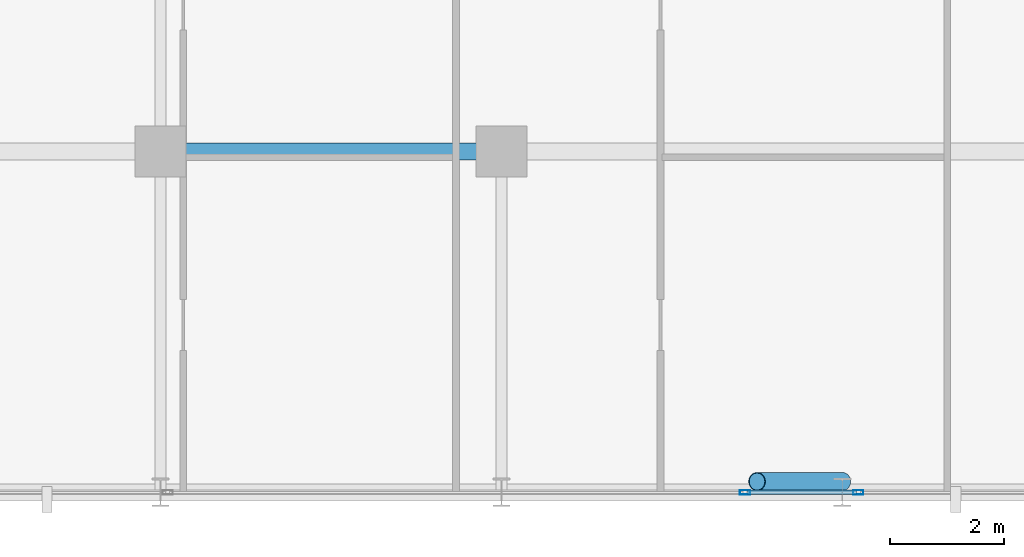
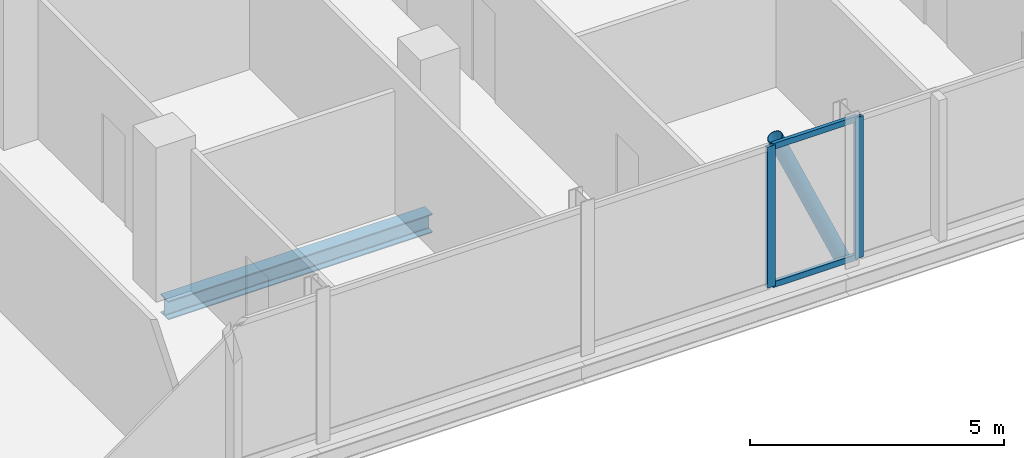
# One storey, part 9 of 31: 5 members, 1 beam, 2 elements without a shape of their own.
"""IFC4 building model written with IfcOpenShell, lengths in metres."""

import ifcopenshell
import ifcopenshell.guid

model = None  # the IFC model being written
_history = None  # IfcOwnerHistory: only IFC2X3 demands one
_inside = {}  # id of a spatial element -> (the spatial element, [elements in it])
_under = {}  # id of a project, library or spatial element -> (it, [spatial elements below it])
_declared = {}  # id of a project -> (the project, [libraries it declares])
_typed = {}  # id of a type object -> (the type object, [elements of that type])
_made_of = {}  # id of a material, layer set ... -> (it, [elements and type objects made of it])


def new_model(schema):
    """Start an empty IFC model of exactly this schema.

    Asked for "IFC4X3", IfcOpenShell would pick the latest addendum, in which some entities
    have other attributes; the version numbers below select the first issue.
    IFC2X3 requires an IfcOwnerHistory on every rooted entity: one is made here for all.
    """
    global model, _history
    if schema == "IFC4X3":
        model = ifcopenshell.file(schema_version=(4, 3, 0, 0))
    else:
        model = ifcopenshell.file(schema=schema)
    _inside.clear()
    _under.clear()
    _declared.clear()
    _typed.clear()
    _made_of.clear()
    _history = None
    if model.schema == "IFC2X3":
        org = make("IfcOrganization", Name="unknown")
        user = make(
            "IfcPersonAndOrganization",
            ThePerson=make("IfcPerson", FamilyName="unknown"),
            TheOrganization=org,
        )
        app = make(
            "IfcApplication",
            ApplicationDeveloper=org,
            Version="unknown",
            ApplicationFullName="unknown",
            ApplicationIdentifier="unknown",
        )
        _history = make(
            "IfcOwnerHistory",
            OwningUser=user,
            OwningApplication=app,
            ChangeAction="ADDED",
            CreationDate=0,
        )
    return model


def make(cls, **values):
    """One entity of the class cls with the attributes given. An attribute that is None is left unset."""
    return model.create_entity(
        cls, **{name: value for name, value in values.items() if value is not None}
    )


def rooted(cls, **values):
    """An entity with a GlobalId (a new one), such as an element, a storey or a relation."""
    return make(cls, GlobalId=ifcopenshell.guid.new(), OwnerHistory=_history, **values)


def si_unit(unit_type, name, prefix=None):
    """IfcSIUnit, for example si_unit("LENGTHUNIT", "METRE", prefix="MILLI")."""
    return make("IfcSIUnit", UnitType=unit_type, Prefix=prefix, Name=name)


def assignment(units):
    """IfcUnitAssignment: the units of a project."""
    return None if units is None else make("IfcUnitAssignment", Units=units)


def point(xyz):
    """IfcCartesianPoint."""
    return None if xyz is None else make("IfcCartesianPoint", Coordinates=xyz)


def direction(xyz):
    """IfcDirection."""
    return None if xyz is None else make("IfcDirection", DirectionRatios=xyz)


def frame(location, z_axis=None, x_axis=None):
    """IfcAxis2Placement3D, a coordinate frame: its origin and axes. An axis left out is left unset."""
    return make(
        "IfcAxis2Placement3D",
        Location=point(location),
        Axis=direction(z_axis),
        RefDirection=direction(x_axis),
    )


def frame_2d(location, x_axis=None):
    """IfcAxis2Placement2D, a coordinate frame in the plane: its origin and x axis."""
    return make(
        "IfcAxis2Placement2D", Location=point(location), RefDirection=direction(x_axis)
    )


def origin():
    """The frame at (0, 0, 0) with its axes left unset."""
    return frame((0.0, 0.0, 0.0))


def origin_2d():
    """The frame at (0, 0) in the plane with its x axis left unset."""
    return frame_2d((0.0, 0.0))


def place(relative_to, where):
    """IfcLocalPlacement: puts the frame where relative to a parent placement (None: the world)."""
    return make(
        "IfcLocalPlacement", PlacementRelTo=relative_to, RelativePlacement=where
    )


def context(
    kind, dimensions, precision=None, world=None, true_north=None, identifier=None
):
    """IfcGeometricRepresentationContext, for example the 3D "Model" context."""
    return make(
        "IfcGeometricRepresentationContext",
        ContextIdentifier=identifier,
        ContextType=kind,
        CoordinateSpaceDimension=dimensions,
        Precision=precision,
        WorldCoordinateSystem=world,
        TrueNorth=true_north,
    )


def subcontext(parent, identifier, kind, view, scale=None):
    """IfcGeometricRepresentationSubContext, for example "Body" below "Model"."""
    return make(
        "IfcGeometricRepresentationSubContext",
        ContextIdentifier=identifier,
        ContextType=kind,
        ParentContext=parent,
        TargetScale=scale,
        TargetView=view,
    )


def project(units=None, contexts=None):
    """IfcProject with its units and contexts."""
    return rooted(
        "IfcProject",
        Name="project",
        RepresentationContexts=contexts,
        UnitsInContext=assignment(units),
    )


def spatial(cls, under=None, at=None, **own):
    """A site, building, storey or space (cls), placed at a placement, below another one or the project."""
    s = rooted(cls, ObjectPlacement=at, **own)
    if under is not None:
        _under.setdefault(under.id(), (under, []))[1].append(s)
    return s


def profile(cls, at=None, kind="AREA", **sizes):
    """A parametric profile (cls). Its sizes go by their IFC names, for example OverallWidth=200.0."""
    return make(cls, ProfileType=kind, Position=at, **sizes)


def hollow_rectangle(**sizes):
    """IfcRectangleHollowProfileDef."""
    return profile("IfcRectangleHollowProfileDef", **sizes)


def hollow_circle(**sizes):
    """IfcCircleHollowProfileDef."""
    return profile("IfcCircleHollowProfileDef", **sizes)


def i_section(**sizes):
    """IfcIShapeProfileDef."""
    return profile("IfcIShapeProfileDef", **sizes)


def extrude(swept, where, along, depth):
    """IfcExtrudedAreaSolid: the profile swept, set in the frame where, extruded along a direction by depth."""
    return make(
        "IfcExtrudedAreaSolid",
        SweptArea=swept,
        Position=where,
        ExtrudedDirection=direction(along),
        Depth=depth,
    )


def shape(context_of_items, identifier, shape_type, items):
    """IfcShapeRepresentation: the items that make up one representation, for example the "Body"."""
    return make(
        "IfcShapeRepresentation",
        ContextOfItems=context_of_items,
        RepresentationIdentifier=identifier,
        RepresentationType=shape_type,
        Items=items,
    )


def material(Name=None, Category=None):
    """IfcMaterial."""
    return make("IfcMaterial", Name=Name, Category=Category)


def layer(
    of_material, thickness, ventilated=None, Name=None, Category=None, Priority=None
):
    """IfcMaterialLayer: one layer of a wall or slab, of a material (None: an air gap)."""
    return make(
        "IfcMaterialLayer",
        Material=of_material,
        LayerThickness=thickness,
        IsVentilated=ventilated,
        Name=Name,
        Category=Category,
        Priority=Priority,
    )


def layer_set(layers, Name=None):
    """IfcMaterialLayerSet."""
    return make("IfcMaterialLayerSet", MaterialLayers=layers, LayerSetName=Name)


def material_profile(
    of_material, cross_section, Name=None, Category=None, Priority=None
):
    """IfcMaterialProfile: a cross section and its material."""
    return make(
        "IfcMaterialProfile",
        Name=Name,
        Material=of_material,
        Profile=cross_section,
        Priority=Priority,
        Category=Category,
    )


def profile_set(profiles, Name=None, composite=None):
    """IfcMaterialProfileSet."""
    return make(
        "IfcMaterialProfileSet",
        Name=Name,
        MaterialProfiles=profiles,
        CompositeProfile=composite,
    )


def made_of(thing, what):
    """Note that an element or type object is made of a material, layer set ...; save() writes the relation."""
    if what is not None:
        _made_of.setdefault(what.id(), (what, []))[1].append(thing)
    return thing


def type_object(cls, material=None, **own):
    """A type object (cls), such as IfcWallType, which elements share."""
    return made_of(rooted(cls, **own), material)


def element(
    cls,
    number,
    at=None,
    inside=None,
    cuts=None,
    type_object=None,
    material=None,
    context=None,
    identifier="Body",
    shape_type=None,
    held_by="IfcProductDefinitionShape",
    body=None,
    shapes=None,
    **own,
):
    """One element of the class cls, such as IfcWall. Its Tag is "e" and its number.

    at: its placement. inside: the storey or other place that contains it. cuts: it is an
    opening in that element (IfcRelVoidsElement). A single representation is given by context,
    identifier, shape_type and body (its items); several are given by shapes. held_by: the class
    of the entity that holds the representations. save() writes the other relations.
    """
    e = rooted(cls, Tag="e%d" % number, ObjectPlacement=at, **own)
    if body is not None:
        shapes = [shape(context, identifier, shape_type, body)]
    if shapes is not None:
        e.Representation = make(held_by, Representations=shapes)
    if inside is not None:
        _inside.setdefault(inside.id(), (inside, []))[1].append(e)
    if cuts is not None:
        rooted(
            "IfcRelVoidsElement", RelatingBuildingElement=cuts, RelatedOpeningElement=e
        )
    if type_object is not None:
        _typed.setdefault(type_object.id(), (type_object, []))[1].append(e)
    return made_of(e, material)


def aggregate(whole, parts):
    """IfcRelAggregates: a whole, such as a stair, and the parts it consists of."""
    return rooted("IfcRelAggregates", RelatingObject=whole, RelatedObjects=parts)


def save(model, path):
    """Write the relations noted so far, then the file.

    IfcRelAggregates (storeys below a building ...), IfcRelContainedInSpatialStructure (elements
    in a storey), IfcRelDefinesByType, IfcRelAssociatesMaterial and IfcRelDeclares: one each for
    every whole, place, type object, material and project.
    """
    for whole, parts in _under.values():
        aggregate(whole, parts)
    for where, things in _inside.values():
        rooted(
            "IfcRelContainedInSpatialStructure",
            RelatedElements=things,
            RelatingStructure=where,
        )
    for kind, things in _typed.values():
        rooted("IfcRelDefinesByType", RelatedObjects=things, RelatingType=kind)
    for what, things in _made_of.values():
        rooted("IfcRelAssociatesMaterial", RelatedObjects=things, RelatingMaterial=what)
    for by, libraries in _declared.values():
        rooted("IfcRelDeclares", RelatingContext=by, RelatedDefinitions=libraries)
    model.write(path)


model = new_model("IFC4")

# Units and contexts
model_context = context("Model", 3, precision=1e-05, world=origin(), true_north=direction((0.0, 1.0)))
body_context = subcontext(model_context, "Body", "Model", "MODEL_VIEW")
ifc_project = project(units=[si_unit("LENGTHUNIT", "METRE"), si_unit("AREAUNIT", "SQUARE_METRE"), si_unit("VOLUMEUNIT", "CUBIC_METRE"), si_unit("PLANEANGLEUNIT", "RADIAN"), si_unit("MASSUNIT", "GRAM", prefix="KILO")], contexts=[model_context])

# Site, building, storey
site_placement = place(None, origin())
site = spatial("IfcSite", under=ifc_project, at=site_placement, CompositionType="ELEMENT")
building_placement = place(site_placement, origin())
building = spatial("IfcBuilding", under=site, at=building_placement, Name="Keshet Zoharim Tower", CompositionType="ELEMENT")
storey_placement = place(building_placement, frame((0.0, 0.0, 148.300048828125)))
storey = spatial("IfcBuildingStorey", under=building, at=storey_placement, Name="L36", CompositionType="ELEMENT", Elevation=148.300048828125)

# Beam
ifc_material_1 = material(Name="Steel S355", Category="steel")
ifc_material_profile_1 = material_profile(ifc_material_1, i_section(OverallWidth=0.300048828125, OverallDepth=0.449951171875, WebThickness=0.013916015625, FlangeThickness=0.02587890625, FilletRadius=0.027099609375, at=origin_2d()), Name="HEB450")
ifc_profile_set_1 = profile_set([ifc_material_profile_1], Name="Steel S355")
beam_type = type_object("IfcBeamType", Name="BM-WEB-HB450", PredefinedType="BEAM", material=ifc_profile_set_1)
beam_placement = place(storey_placement, frame((33.0, 6.699951171875, -0.5400390625), z_axis=(1.0, 0.0, 0.0), x_axis=(0.0, 1.0, 0.0)))
element("IfcBeam", 1, at=beam_placement, inside=storey, type_object=beam_type, Name="L36 Primary Girder X-007", PredefinedType="BEAM", context=body_context, shape_type="SweptSolid", body=[
    extrude(i_section(OverallWidth=0.300048828125, OverallDepth=0.449951171875, WebThickness=0.013916015625, FlangeThickness=0.02587890625, FilletRadius=0.027099609375, at=origin_2d()), origin(), (0.0, 0.0, 1.0), 6.0),
])

# Curtain wall, member
ifc_material_2 = material(Name="Aluminium 6063-T6", Category="aluminium")
ifc_layer = layer(ifc_material_2, 0.159912109375)
ifc_layer_set = layer_set([ifc_layer], Name="Aluminium 6063-T6")
curtain_wall_type = type_object("IfcCurtainWallType", Name="CW-SYS-03", PredefinedType="NOTDEFINED", material=ifc_layer_set)
curtain_wall_1_placement = place(storey_placement, origin())
curtain_wall_1 = element("IfcCurtainWall", 2, at=curtain_wall_1_placement, inside=storey, type_object=curtain_wall_type, Name="L36 Unitised Curtain Wall 03", PredefinedType="NOTDEFINED")
ifc_material_profile_2 = material_profile(ifc_material_2, hollow_rectangle(XDim=0.080078125, YDim=0.179931640625, WallThickness=0.00439453125, at=origin_2d()), Name="MUL-80x180")
ifc_profile_set_2 = profile_set([ifc_material_profile_2], Name="Aluminium 6063-T6")
member_type_1 = type_object("IfcMemberType", Name="CWM-M18", PredefinedType="MULLION", material=ifc_profile_set_2)
member_1_placement = place(storey_placement, frame((45.283203125, 0.699951171875, 0.0), z_axis=(0.0, 0.0, 1.0), x_axis=(0.0, -1.0, 0.0)))
member_1 = element("IfcMember", 3, at=member_1_placement, type_object=member_type_1, Name="CW-03 mullion 2", PredefinedType="MULLION", context=body_context, shape_type="SweptSolid", body=[
    extrude(hollow_rectangle(XDim=0.080078125, YDim=0.179931640625, WallThickness=0.00439453125, at=origin_2d()), origin(), (0.0, 0.0, 1.0), 3.385009765625),
])
aggregate(curtain_wall_1, [member_1])

# Curtain wall, members
curtain_wall_2_placement = place(storey_placement, origin())
curtain_wall_2 = element("IfcCurtainWall", 4, at=curtain_wall_2_placement, inside=storey, type_object=curtain_wall_type, Name="L36 Unitised Curtain Wall 03 Part 2", PredefinedType="NOTDEFINED")
member_2_placement = place(storey_placement, frame((43.286865234375, 0.699951171875, 0.0), z_axis=(0.0, 0.0, 1.0), x_axis=(0.0, -1.0, 0.0)))
member_2 = element("IfcMember", 5, at=member_2_placement, type_object=member_type_1, Name="CW-03 mullion 2", PredefinedType="MULLION", context=body_context, shape_type="SweptSolid", body=[
    extrude(hollow_rectangle(XDim=0.080078125, YDim=0.179931640625, WallThickness=0.00439453125, at=origin_2d()), origin(), (0.0, 0.0, 1.0), 3.385009765625),
])
ifc_material_profile_3 = material_profile(ifc_material_2, hollow_rectangle(XDim=0.080078125, YDim=0.139892578125, WallThickness=0.00390625, at=origin_2d()), Name="TRN-80x140")
ifc_profile_set_3 = profile_set([ifc_material_profile_3], Name="Aluminium 6063-T6")
member_type_2 = type_object("IfcMemberType", Name="CWT-T14", PredefinedType="USERDEFINED", material=ifc_profile_set_3)
member_3_placement = place(storey_placement, frame((45.248046875, 0.699951171875, 0.034912109375), z_axis=(-1.0, 0.0, 0.0), x_axis=(0.0, -1.0, 0.0)))
member_3 = element("IfcMember", 6, at=member_3_placement, type_object=member_type_2, Name="CW-03 transom 1.1", ObjectType="TRANSOM", PredefinedType="USERDEFINED", context=body_context, shape_type="SweptSolid", body=[
    extrude(hollow_rectangle(XDim=0.080078125, YDim=0.139892578125, WallThickness=0.00390625, at=origin_2d()), origin(), (0.0, 0.0, 1.0), 1.926025390625),
])
member_4_placement = place(storey_placement, frame((45.248046875, 0.699951171875, 3.349853515625), z_axis=(-1.0, 0.0, 0.0), x_axis=(0.0, -1.0, 0.0)))
member_4 = element("IfcMember", 7, at=member_4_placement, type_object=member_type_2, Name="CW-03 transom 1.2", ObjectType="TRANSOM", PredefinedType="USERDEFINED", context=body_context, shape_type="SweptSolid", body=[
    extrude(hollow_rectangle(XDim=0.080078125, YDim=0.139892578125, WallThickness=0.00390625, at=origin_2d()), origin(), (0.0, 0.0, 1.0), 1.926025390625),
])
aggregate(curtain_wall_2, [member_2, member_3, member_4])

# Member
ifc_material_profile_4 = material_profile(ifc_material_1, hollow_circle(Radius=0.161865234375, WallThickness=0.012451171875, at=origin_2d()), Name="CHS323x12.5")
ifc_profile_set_4 = profile_set([ifc_material_profile_4], Name="Steel S355")
member_type_3 = type_object("IfcMemberType", Name="MB-BR-C323", PredefinedType="BRACE", material=ifc_profile_set_4)
member_5_placement = place(storey_placement, frame((45.0, 0.889892578125, 0.0), z_axis=(-0.405134846829, 0.0, 0.91425694194), x_axis=(0.0, -1.0, 0.0)))
element("IfcMember", 8, at=member_5_placement, inside=storey, type_object=member_type_3, Name="L36 Perimeter Tube Brace 03", PredefinedType="BRACE", context=body_context, shape_type="SweptSolid", body=[
    extrude(hollow_circle(Radius=0.161865234375, WallThickness=0.012451171875, at=origin_2d()), origin(), (0.0, 0.0, 1.0), 3.702392578125),
])

save(model, "model.ifc")
